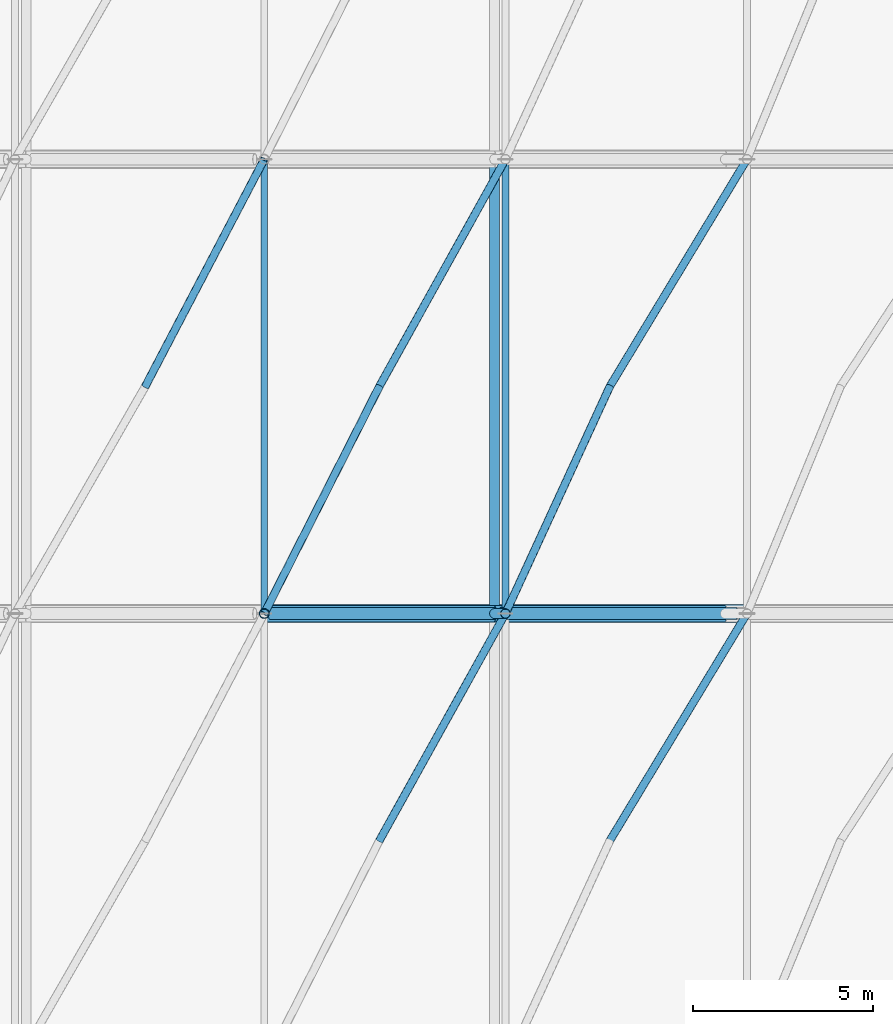
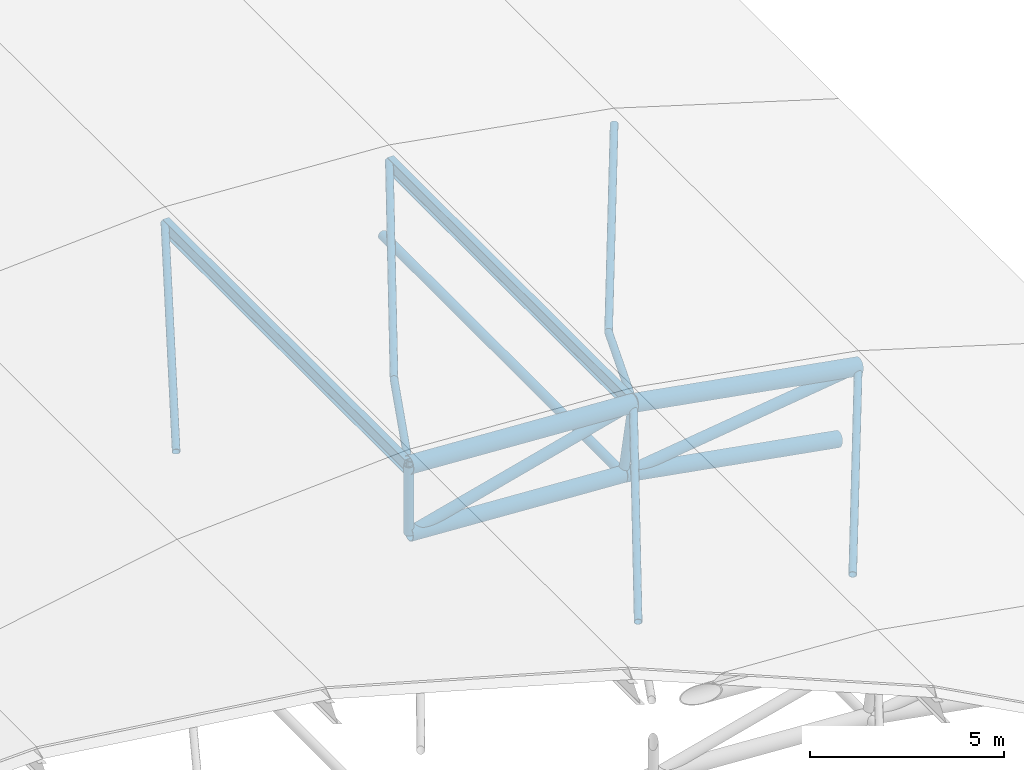
# One storey, part 6 of 18: 18 members.
"""IFC4 building model written with IfcOpenShell, lengths in metres."""

from ifc_helpers import new_model, si_unit, derived_unit, direction, frame, origin, origin_2d, place, context, subcontext, project, spatial, hollow_circle, i_section, extrude, material, material_profile, profile_set, type_object, element, save


model = new_model("IFC4")

# Units and contexts
model_context = context("Model", 3, precision=1e-05, world=origin(), true_north=direction((0.0, 1.0)))
body_context = subcontext(model_context, "Body", "Model", "MODEL_VIEW")
ifc_project = project(units=[si_unit("LENGTHUNIT", "METRE"), si_unit("AREAUNIT", "SQUARE_METRE"), si_unit("VOLUMEUNIT", "CUBIC_METRE"), si_unit("PLANEANGLEUNIT", "RADIAN"), si_unit("MASSUNIT", "GRAM", prefix="KILO"), derived_unit("THERMALTRANSMITTANCEUNIT", [(si_unit("MASSUNIT", "GRAM", prefix="KILO"), 1), (si_unit("TIMEUNIT", "SECOND"), -3), (si_unit("THERMODYNAMICTEMPERATUREUNIT", "KELVIN"), -1)])], contexts=[model_context])

# Site, building, storey
site_placement = place(None, origin())
site = spatial("IfcSite", under=ifc_project, at=site_placement, CompositionType="ELEMENT")
building_placement = place(site_placement, origin())
building = spatial("IfcBuilding", under=site, at=building_placement, Name="Valcora Ridge Arena", CompositionType="ELEMENT")
storey_placement = place(building_placement, frame((0.0, 0.0, 39.800048828125)))
storey = spatial("IfcBuildingStorey", under=building, at=storey_placement, Name="RF", CompositionType="ELEMENT", Elevation=39.800048828125)

# Members
ifc_material_1 = material(Name="Steel ASTM A572 Grade 50", Category="steel")
ifc_material_profile_1 = material_profile(ifc_material_1, i_section(OverallWidth=0.18994140625, OverallDepth=0.45703125, WebThickness=0.009033203125, FlangeThickness=0.014404296875, FilletRadius=0.014892578125, at=origin_2d()), Name="W18X50")
ifc_profile_set_1 = profile_set([ifc_material_profile_1], Name="Steel ASTM A572 Grade 50")
member_type_1 = type_object("IfcMemberType", Name="TY-MEMBER-PUR-W18X50", PredefinedType="PURLIN", material=ifc_profile_set_1)
for number, where, z_axis, x_axis, name in (
    (1, (55.81005859375, 57.85009765625, 1.07958984375), (0.0, 1.0, 0.0), (-1.0, 0.0, 0.0), "PUR-W18X50 SF-PR-PUR-W18X50-0042"),
    (2, (62.5, 57.85009765625, 0.68603515625), (0.0, 1.0, 0.0), (-1.0, 0.0, 0.0), "PUR-W18X50 SF-PR-PUR-W18X50-0043"),
):
    element("IfcMember", number, at=place(storey_placement, frame(where, z_axis=z_axis, x_axis=x_axis)), inside=storey, type_object=member_type_1, Name=name, PredefinedType="PURLIN", context=body_context, shape_type="SweptSolid", body=[
        extrude(i_section(OverallWidth=0.18994140625, OverallDepth=0.45703125, WebThickness=0.009033203125, FlangeThickness=0.014404296875, FilletRadius=0.014892578125, at=origin_2d()), origin(), (0.0, 0.0, 1.0), 12.5),
    ])
ifc_material_2 = material(Name="Steel ASTM A500 Grade C", Category="steel")
ifc_material_profile_2 = material_profile(ifc_material_2, hollow_circle(Radius=0.228515625, WallThickness=0.01611328125, at=origin_2d()), Name="CHS457X16")
ifc_profile_set_2 = profile_set([ifc_material_profile_2], Name="Steel ASTM A500 Grade C")
member_type_2 = type_object("IfcMemberType", Name="TY-MEMBER-SFBC-457", PredefinedType="CHORD", material=ifc_profile_set_2)
member_1_placement = place(storey_placement, frame((55.81005859375, 57.800048828125, -1.0), z_axis=(0.998298890165, 0.0, -0.058303738263), x_axis=(0.0, 1.0, 0.0)))
element("IfcMember", 3, at=member_1_placement, inside=storey, type_object=member_type_2, Name="SFBC-457 Space Frame Bottom Chord", PredefinedType="CHORD", context=body_context, shape_type="SweptSolid", body=[
    extrude(hollow_circle(Radius=0.228515625, WallThickness=0.01611328125, at=origin_2d()), origin(), (0.0, 0.0, 1.0), 6.3984375),
])
member_2_placement = place(storey_placement, frame((62.197509765625, 57.800048828125, -1.373046875), z_axis=(0.98458279147, 0.0, -0.174919200607), x_axis=(0.0, 1.0, 0.0)))
element("IfcMember", 4, at=member_2_placement, inside=storey, type_object=member_type_2, Name="SFBC-457 Space Frame Bottom Chord", PredefinedType="CHORD", context=body_context, shape_type="SweptSolid", body=[
    extrude(hollow_circle(Radius=0.228515625, WallThickness=0.01611328125, at=origin_2d()), origin(), (0.0, 0.0, 1.0), 6.4970703125),
])
ifc_material_profile_3 = material_profile(ifc_material_2, hollow_circle(Radius=0.136474609375, WallThickness=0.012451171875, at=origin_2d()), Name="CHS273X12")
ifc_profile_set_3 = profile_set([ifc_material_profile_3], Name="Steel ASTM A500 Grade C")
member_type_3 = type_object("IfcMemberType", Name="TY-MEMBER-SFBT-273", PredefinedType="STRUT", material=ifc_profile_set_3)
member_3_placement = place(storey_placement, frame((62.197509765625, 57.97998046875, -1.373046875), z_axis=(0.0, 1.0, 0.0), x_axis=(-1.0, 0.0, 0.0)))
element("IfcMember", 5, at=member_3_placement, inside=storey, type_object=member_type_3, Name="SFBT-273 Space Frame Bottom Strut", PredefinedType="STRUT", context=body_context, shape_type="SweptSolid", body=[
    extrude(hollow_circle(Radius=0.136474609375, WallThickness=0.012451171875, at=origin_2d()), origin(), (0.0, 0.0, 1.0), 12.239990234375),
])
ifc_material_profile_4 = material_profile(ifc_material_2, hollow_circle(Radius=0.136474609375, WallThickness=0.012451171875, at=origin_2d()), Name="CHS273X12")
ifc_profile_set_4 = profile_set([ifc_material_profile_4], Name="Steel ASTM A500 Grade C")
member_type_4 = type_object("IfcMemberType", Name="TY-MEMBER-SFKP-273", PredefinedType="POST", material=ifc_profile_set_4)
member_4_placement = place(storey_placement, frame((55.81005859375, 57.800048828125, -1.0), z_axis=(0.0, 0.0, 1.0), x_axis=(1.0, 0.0, 0.0)))
element("IfcMember", 6, at=member_4_placement, inside=storey, type_object=member_type_4, Name="SFKP-273 Space Frame King Post", PredefinedType="POST", context=body_context, shape_type="SweptSolid", body=[
    extrude(hollow_circle(Radius=0.136474609375, WallThickness=0.012451171875, at=origin_2d()), origin(), (0.0, 0.0, 1.0), 2.14990234375),
])
member_5_placement = place(storey_placement, frame((62.197509765625, 57.800048828125, -1.373046875), z_axis=(0.140453193158, 0.0, 0.99008731965), x_axis=(0.0, 1.0, 0.0)))
element("IfcMember", 7, at=member_5_placement, inside=storey, type_object=member_type_4, Name="SFKP-273 Space Frame King Post", PredefinedType="POST", context=body_context, shape_type="SweptSolid", body=[
    extrude(hollow_circle(Radius=0.136474609375, WallThickness=0.012451171875, at=origin_2d()), origin(), (0.0, 0.0, 1.0), 2.153564453125),
])
ifc_material_profile_5 = material_profile(ifc_material_2, hollow_circle(Radius=0.109619140625, WallThickness=0.010009765625, at=origin_2d()), Name="CHS219X10")
ifc_profile_set_5 = profile_set([ifc_material_profile_5], Name="Steel ASTM A500 Grade C")
member_type_5 = type_object("IfcMemberType", Name="TY-MEMBER-SFST-219", PredefinedType="STRUT", material=ifc_profile_set_5)
member_6_placement = place(storey_placement, frame((59.003662109375, 51.5, -1.093017578125), z_axis=(0.469970193804, 0.846838967329, 0.248981485957), x_axis=(-0.874374557103, 0.485251619154, 0.0)))
element("IfcMember", 8, at=member_6_placement, inside=storey, type_object=member_type_5, Name="SFST-219 Space Frame Tie Strut", PredefinedType="STRUT", context=body_context, shape_type="SweptSolid", body=[
    extrude(hollow_circle(Radius=0.109619140625, WallThickness=0.010009765625, at=origin_2d()), origin(), (0.0, 0.0, 1.0), 7.439453125),
])
member_7_placement = place(storey_placement, frame((65.39599609375, 51.5, -1.843505859375), z_axis=(0.50761778143, 0.84070835311, 0.188503721414), x_axis=(-0.856055305628, 0.516884236272, 0.0)))
element("IfcMember", 9, at=member_7_placement, inside=storey, type_object=member_type_5, Name="SFST-219 Space Frame Tie Strut", PredefinedType="STRUT", context=body_context, shape_type="SweptSolid", body=[
    extrude(hollow_circle(Radius=0.109619140625, WallThickness=0.010009765625, at=origin_2d()), origin(), (0.0, 0.0, 1.0), 7.49365234375),
])
member_8_placement = place(storey_placement, frame((52.51123046875, 64.10009765625, -1.099365234375), z_axis=(0.442291934894, 0.844649281232, 0.301571610138), x_axis=(-0.885893348785, 0.463888967942, 0.0)))
element("IfcMember", 10, at=member_8_placement, inside=storey, type_object=member_type_5, Name="SFST-219 Space Frame Tie Strut", PredefinedType="STRUT", context=body_context, shape_type="SweptSolid", body=[
    extrude(hollow_circle(Radius=0.109619140625, WallThickness=0.010009765625, at=origin_2d()), origin(), (0.0, 0.0, 1.0), 7.45849609375),
])
member_9_placement = place(storey_placement, frame((59.003662109375, 64.10009765625, -1.093017578125), z_axis=(-0.430937331995, -0.850113741466, 0.302654328341), x_axis=(0.891945642305, -0.452142644719, 0.0)))
element("IfcMember", 11, at=member_9_placement, inside=storey, type_object=member_type_5, Name="SFST-219 Space Frame Tie Strut", PredefinedType="STRUT", context=body_context, shape_type="SweptSolid", body=[
    extrude(hollow_circle(Radius=0.109619140625, WallThickness=0.010009765625, at=origin_2d()), origin(), (0.0, 0.0, 1.0), 7.410888671875),
])
member_10_placement = place(storey_placement, frame((59.003662109375, 64.10009765625, -1.093017578125), z_axis=(0.469983254846, 0.846829684242, 0.248988405454), x_axis=(-0.874366578131, 0.485265996179, 0.0)))
element("IfcMember", 12, at=member_10_placement, inside=storey, type_object=member_type_5, Name="SFST-219 Space Frame Tie Strut", PredefinedType="STRUT", context=body_context, shape_type="SweptSolid", body=[
    extrude(hollow_circle(Radius=0.109619140625, WallThickness=0.010009765625, at=origin_2d()), origin(), (0.0, 0.0, 1.0), 7.439208984375),
])
member_11_placement = place(storey_placement, frame((65.39599609375, 64.10009765625, -1.843505859375), z_axis=(-0.3910228866, -0.850644544657, 0.351432725851), x_axis=(0.908601375481, -0.417664387365, 0.0)))
element("IfcMember", 13, at=member_11_placement, inside=storey, type_object=member_type_5, Name="SFST-219 Space Frame Tie Strut", PredefinedType="STRUT", context=body_context, shape_type="SweptSolid", body=[
    extrude(hollow_circle(Radius=0.109619140625, WallThickness=0.010009765625, at=origin_2d()), origin(), (0.0, 0.0, 1.0), 7.40625),
])
member_12_placement = place(storey_placement, frame((65.39599609375, 64.10009765625, -1.843505859375), z_axis=(0.507631685218, 0.840698800164, 0.188508884582), x_axis=(-0.856046442173, 0.516898915498, 0.0)))
element("IfcMember", 14, at=member_12_placement, inside=storey, type_object=member_type_5, Name="SFST-219 Space Frame Tie Strut", PredefinedType="STRUT", context=body_context, shape_type="SweptSolid", body=[
    extrude(hollow_circle(Radius=0.109619140625, WallThickness=0.010009765625, at=origin_2d()), origin(), (0.0, 0.0, 1.0), 7.49365234375),
])
ifc_material_profile_6 = material_profile(ifc_material_2, hollow_circle(Radius=0.25390625, WallThickness=0.01611328125, at=origin_2d()), Name="CHS508X16")
ifc_profile_set_6 = profile_set([ifc_material_profile_6], Name="Steel ASTM A500 Grade C")
member_type_6 = type_object("IfcMemberType", Name="TY-MEMBER-SFTC-508", PredefinedType="CHORD", material=ifc_profile_set_6)
member_13_placement = place(storey_placement, frame((55.81005859375, 57.800048828125, 1.14990234375), z_axis=(0.998299656479, 0.0, -0.058290615662), x_axis=(0.0, 1.0, 0.0)))
element("IfcMember", 15, at=member_13_placement, inside=storey, type_object=member_type_6, Name="SFTC-508 Space Frame Top Chord", PredefinedType="CHORD", context=body_context, shape_type="SweptSolid", body=[
    extrude(hollow_circle(Radius=0.25390625, WallThickness=0.01611328125, at=origin_2d()), origin(), (0.0, 0.0, 1.0), 6.701416015625),
])
member_14_placement = place(storey_placement, frame((62.5, 57.800048828125, 0.75927734375), z_axis=(0.984585719015, 0.0, -0.174902721284), x_axis=(0.0, 1.0, 0.0)))
element("IfcMember", 16, at=member_14_placement, inside=storey, type_object=member_type_6, Name="SFTC-508 Space Frame Top Chord", PredefinedType="CHORD", context=body_context, shape_type="SweptSolid", body=[
    extrude(hollow_circle(Radius=0.25390625, WallThickness=0.01611328125, at=origin_2d()), origin(), (0.0, 0.0, 1.0), 6.804931640625),
])
ifc_material_profile_7 = material_profile(ifc_material_2, hollow_circle(Radius=0.161865234375, WallThickness=0.012451171875, at=origin_2d()), Name="CHS323X12")
ifc_profile_set_7 = profile_set([ifc_material_profile_7], Name="Steel ASTM A500 Grade C")
member_type_7 = type_object("IfcMemberType", Name="TY-MEMBER-SFWB-323", PredefinedType="BRACE", material=ifc_profile_set_7)
member_15_placement = place(storey_placement, frame((55.964599609375, 57.800048828125, -0.959228515625), z_axis=(0.967117485825, 0.0, 0.254330038751), x_axis=(0.0, 1.0, 0.0)))
element("IfcMember", 17, at=member_15_placement, inside=storey, type_object=member_type_7, Name="SFWB-323 Space Frame Diagonal Brace", PredefinedType="BRACE", context=body_context, shape_type="SweptSolid", body=[
    extrude(hollow_circle(Radius=0.161865234375, WallThickness=0.012451171875, at=origin_2d()), origin(), (0.0, 0.0, 1.0), 6.4775390625),
])
member_16_placement = place(storey_placement, frame((62.356201171875, 57.800048828125, -1.3515625), z_axis=(0.991073399433, 0.0, 0.133317354222), x_axis=(0.0, 1.0, 0.0)))
element("IfcMember", 18, at=member_16_placement, inside=storey, type_object=member_type_7, Name="SFWB-323 Space Frame Diagonal Brace", PredefinedType="BRACE", context=body_context, shape_type="SweptSolid", body=[
    extrude(hollow_circle(Radius=0.161865234375, WallThickness=0.012451171875, at=origin_2d()), origin(), (0.0, 0.0, 1.0), 6.62548828125),
])

save(model, "model.ifc")
